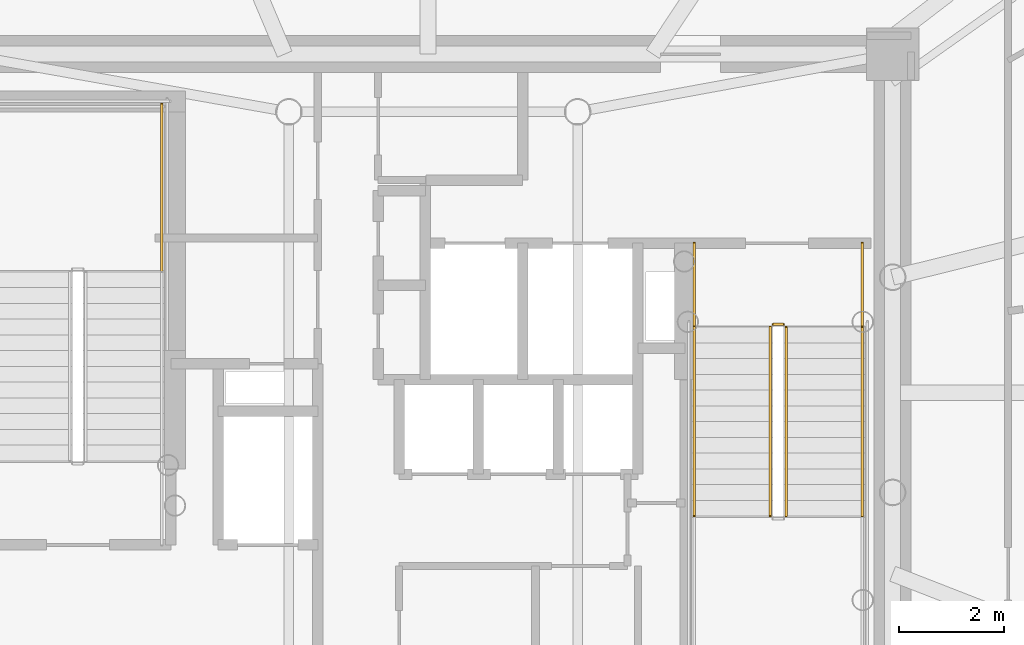
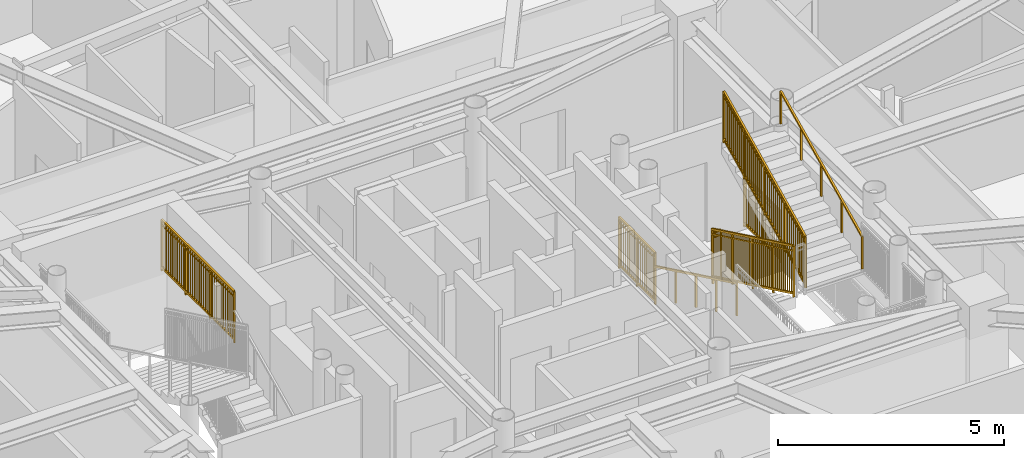
# One storey, part 17 of 18: 8 railings.
"""IFC4 building model written with IfcOpenShell, lengths in metres."""

from ifc_helpers import new_model, si_unit, direction, frame, origin, origin_2d, place, context, subcontext, project, spatial, rectangle, extrude, source, transform, mapped, material, type_object, element, save


model = new_model("IFC4")

# Units and contexts
model_context = context("Model", 3, precision=1e-05, world=origin(), true_north=direction((0.0, 1.0)))
body_context = subcontext(model_context, "Body", "Model", "MODEL_VIEW")
ifc_project = project(units=[si_unit("LENGTHUNIT", "METRE"), si_unit("AREAUNIT", "SQUARE_METRE"), si_unit("VOLUMEUNIT", "CUBIC_METRE"), si_unit("PLANEANGLEUNIT", "RADIAN"), si_unit("MASSUNIT", "GRAM", prefix="KILO")], contexts=[model_context])

# Site, building, storey
site_placement = place(None, origin())
site = spatial("IfcSite", under=ifc_project, at=site_placement, CompositionType="ELEMENT")
building_placement = place(site_placement, origin())
building = spatial("IfcBuilding", under=site, at=building_placement, Name="Linh Dai School and Residence Tower", CompositionType="ELEMENT")
storey_placement = place(building_placement, frame((0.0, 0.0, 273.0)))
storey = spatial("IfcBuildingStorey", under=building, at=storey_placement, Name="L67", CompositionType="ELEMENT", Elevation=273.0)

# Railings
ifc_material_1 = material(Name="Structural Steel S355JR", Category="steel")
railing_type_1 = type_object("IfcRailingType", Name="RL-ST-GUARD-1400", PredefinedType="GUARDRAIL", material=ifc_material_1)
shared_shape_1 = source(origin(), body_context, "Body", "SweptSolid", [
    extrude(rectangle(XDim=0.048095703125, YDim=0.048095703125, at=origin_2d()), frame((0.0, 0.0, 1.3759765625), z_axis=(0.0, 0.901262522062, 0.433273431364), x_axis=(-1.0, 0.0, 0.0)), (0.0, 0.0, 1.0), 3.994384765625),
    extrude(rectangle(XDim=0.048095703125, YDim=0.048095703125, at=origin_2d()), frame((0.0, 0.0, 0.10009765625), z_axis=(0.0, 0.901262522062, 0.433273431364), x_axis=(-1.0, 0.0, 0.0)), (0.0, 0.0, 1.0), 3.994384765625),
    extrude(rectangle(XDim=0.030029296875, YDim=0.030029296875, at=origin_2d()), frame((0.0, 0.0, 1.239990234375), z_axis=(0.0, 0.901262522062, 0.433273431364), x_axis=(-1.0, 0.0, 0.0)), (0.0, 0.0, 1.0), 3.994384765625),
    extrude(rectangle(XDim=0.02001953125, YDim=0.02001953125, at=origin_2d()), frame((0.0, 0.087890625, 0.142333984375)), (0.0, 0.0, 1.0), 1.251708984375),
    extrude(rectangle(XDim=0.02001953125, YDim=0.02001953125, at=origin_2d()), frame((0.0, 0.175537109375, 0.1845703125)), (0.0, 0.0, 1.0), 1.251708984375),
    extrude(rectangle(XDim=0.02001953125, YDim=0.02001953125, at=origin_2d()), frame((0.0, 0.263427734375, 0.226806640625)), (0.0, 0.0, 1.0), 1.251708984375),
    extrude(rectangle(XDim=0.02001953125, YDim=0.02001953125, at=origin_2d()), frame((0.0, 0.351318359375, 0.26904296875)), (0.0, 0.0, 1.0), 1.251708984375),
    extrude(rectangle(XDim=0.02001953125, YDim=0.02001953125, at=origin_2d()), frame((0.0, 0.43896484375, 0.311279296875)), (0.0, 0.0, 1.0), 1.251708984375),
    extrude(rectangle(XDim=0.02001953125, YDim=0.02001953125, at=origin_2d()), frame((0.0, 0.52685546875, 0.353271484375)), (0.0, 0.0, 1.0), 1.251708984375),
    extrude(rectangle(XDim=0.02001953125, YDim=0.02001953125, at=origin_2d()), frame((0.0, 0.61474609375, 0.3955078125)), (0.0, 0.0, 1.0), 1.251708984375),
    extrude(rectangle(XDim=0.02001953125, YDim=0.02001953125, at=origin_2d()), frame((0.0, 0.702392578125, 0.437744140625)), (0.0, 0.0, 1.0), 1.251708984375),
    extrude(rectangle(XDim=0.02001953125, YDim=0.02001953125, at=origin_2d()), frame((0.0, 0.790283203125, 0.47998046875)), (0.0, 0.0, 1.0), 1.251708984375),
    extrude(rectangle(XDim=0.02001953125, YDim=0.02001953125, at=origin_2d()), frame((0.0, 0.9658203125, 0.564453125)), (0.0, 0.0, 1.0), 1.251708984375),
    extrude(rectangle(XDim=0.02001953125, YDim=0.02001953125, at=origin_2d()), frame((0.0, 1.0537109375, 0.606689453125)), (0.0, 0.0, 1.0), 1.251708984375),
    extrude(rectangle(XDim=0.02001953125, YDim=0.02001953125, at=origin_2d()), frame((0.0, 1.1416015625, 0.64892578125)), (0.0, 0.0, 1.0), 1.251708984375),
    extrude(rectangle(XDim=0.02001953125, YDim=0.02001953125, at=origin_2d()), frame((0.0, 1.229248046875, 0.691162109375)), (0.0, 0.0, 1.0), 1.251708984375),
    extrude(rectangle(XDim=0.02001953125, YDim=0.02001953125, at=origin_2d()), frame((0.0, 1.317138671875, 0.7333984375)), (0.0, 0.0, 1.0), 1.251708984375),
    extrude(rectangle(XDim=0.02001953125, YDim=0.02001953125, at=origin_2d()), frame((0.0, 1.405029296875, 0.775390625)), (0.0, 0.0, 1.0), 1.251708984375),
    extrude(rectangle(XDim=0.02001953125, YDim=0.02001953125, at=origin_2d()), frame((0.0, 1.49267578125, 0.817626953125)), (0.0, 0.0, 1.0), 1.251708984375),
    extrude(rectangle(XDim=0.02001953125, YDim=0.02001953125, at=origin_2d()), frame((0.0, 1.58056640625, 0.85986328125)), (0.0, 0.0, 1.0), 1.251708984375),
    extrude(rectangle(XDim=0.02001953125, YDim=0.02001953125, at=origin_2d()), frame((0.0, 1.66845703125, 0.902099609375)), (0.0, 0.0, 1.0), 1.251708984375),
    extrude(rectangle(XDim=0.02001953125, YDim=0.02001953125, at=origin_2d()), frame((0.0, 1.756103515625, 0.9443359375)), (0.0, 0.0, 1.0), 1.251708984375),
    extrude(rectangle(XDim=0.02001953125, YDim=0.02001953125, at=origin_2d()), frame((0.0, 1.843994140625, 0.986572265625)), (0.0, 0.0, 1.0), 1.251708984375),
    extrude(rectangle(XDim=0.02001953125, YDim=0.02001953125, at=origin_2d()), frame((0.0, 1.931640625, 1.02880859375)), (0.0, 0.0, 1.0), 1.251708984375),
    extrude(rectangle(XDim=0.02001953125, YDim=0.02001953125, at=origin_2d()), frame((0.0, 2.01953125, 1.071044921875)), (0.0, 0.0, 1.0), 1.251708984375),
    extrude(rectangle(XDim=0.02001953125, YDim=0.02001953125, at=origin_2d()), frame((0.0, 2.107421875, 1.11328125)), (0.0, 0.0, 1.0), 1.251708984375),
    extrude(rectangle(XDim=0.02001953125, YDim=0.02001953125, at=origin_2d()), frame((0.0, 2.195068359375, 1.155517578125)), (0.0, 0.0, 1.0), 1.251708984375),
    extrude(rectangle(XDim=0.02001953125, YDim=0.02001953125, at=origin_2d()), frame((0.0, 2.282958984375, 1.197509765625)), (0.0, 0.0, 1.0), 1.251708984375),
    extrude(rectangle(XDim=0.02001953125, YDim=0.02001953125, at=origin_2d()), frame((0.0, 2.370849609375, 1.23974609375)), (0.0, 0.0, 1.0), 1.251708984375),
    extrude(rectangle(XDim=0.02001953125, YDim=0.02001953125, at=origin_2d()), frame((0.0, 2.45849609375, 1.281982421875)), (0.0, 0.0, 1.0), 1.251708984375),
    extrude(rectangle(XDim=0.02001953125, YDim=0.02001953125, at=origin_2d()), frame((0.0, 2.54638671875, 1.32421875)), (0.0, 0.0, 1.0), 1.251708984375),
    extrude(rectangle(XDim=0.02001953125, YDim=0.02001953125, at=origin_2d()), frame((0.0, 2.63427734375, 1.366455078125)), (0.0, 0.0, 1.0), 1.251708984375),
    extrude(rectangle(XDim=0.02001953125, YDim=0.02001953125, at=origin_2d()), frame((0.0, 2.809814453125, 1.450927734375)), (0.0, 0.0, 1.0), 1.251708984375),
    extrude(rectangle(XDim=0.02001953125, YDim=0.02001953125, at=origin_2d()), frame((0.0, 2.897705078125, 1.4931640625)), (0.0, 0.0, 1.0), 1.251708984375),
    extrude(rectangle(XDim=0.02001953125, YDim=0.02001953125, at=origin_2d()), frame((0.0, 2.9853515625, 1.535400390625)), (0.0, 0.0, 1.0), 1.251708984375),
    extrude(rectangle(XDim=0.02001953125, YDim=0.02001953125, at=origin_2d()), frame((0.0, 3.0732421875, 1.57763671875)), (0.0, 0.0, 1.0), 1.251708984375),
    extrude(rectangle(XDim=0.02001953125, YDim=0.02001953125, at=origin_2d()), frame((0.0, 3.1611328125, 1.61962890625)), (0.0, 0.0, 1.0), 1.251708984375),
    extrude(rectangle(XDim=0.02001953125, YDim=0.02001953125, at=origin_2d()), frame((0.0, 3.248779296875, 1.661865234375)), (0.0, 0.0, 1.0), 1.251708984375),
    extrude(rectangle(XDim=0.02001953125, YDim=0.02001953125, at=origin_2d()), frame((0.0, 3.336669921875, 1.7041015625)), (0.0, 0.0, 1.0), 1.251708984375),
    extrude(rectangle(XDim=0.02001953125, YDim=0.02001953125, at=origin_2d()), frame((0.0, 3.424560546875, 1.746337890625)), (0.0, 0.0, 1.0), 1.251708984375),
    extrude(rectangle(XDim=0.02001953125, YDim=0.02001953125, at=origin_2d()), frame((0.0, 3.51220703125, 1.78857421875)), (0.0, 0.0, 1.0), 1.251708984375),
    extrude(rectangle(XDim=0.0419921875, YDim=0.0419921875, at=origin_2d()), origin(), (0.0, 0.0, 1.0), 1.3759765625),
    extrude(rectangle(XDim=0.0419921875, YDim=0.0419921875, at=origin_2d()), frame((0.0, 0.89990234375, 0.4326171875)), (0.0, 0.0, 1.0), 1.3759765625),
    extrude(rectangle(XDim=0.0419921875, YDim=0.0419921875, at=origin_2d()), frame((0.0, 1.800048828125, 0.865234375)), (0.0, 0.0, 1.0), 1.3759765625),
    extrude(rectangle(XDim=0.0419921875, YDim=0.0419921875, at=origin_2d()), frame((0.0, 2.7001953125, 1.298095703125)), (0.0, 0.0, 1.0), 1.3759765625),
    extrude(rectangle(XDim=0.0419921875, YDim=0.0419921875, at=origin_2d()), frame((0.0, 3.60009765625, 1.730712890625)), (0.0, 0.0, 1.0), 1.3759765625),
])
railing_1_placement = place(storey_placement, frame((42.820068359375, 24.64990234375, 2.019287109375)))
element("IfcRailing", 1, at=railing_1_placement, inside=storey, type_object=railing_type_1, Name="L67 ST2 stair guard 6", PredefinedType="GUARDRAIL", context=body_context, shape_type="MappedRepresentation", body=[
    mapped(shared_shape_1, transform((0.0, 0.0, 0.0), x_axis=(1.0, 0.0, 0.0), y_axis=(0.0, 1.0, 0.0), z_axis=(0.0, 0.0, 1.0), scale=1.0)),
])
shared_shape_2 = source(origin(), body_context, "Body", "SweptSolid", [
    extrude(rectangle(XDim=0.048095703125, YDim=0.048095703125, at=origin_2d()), frame((0.0, 0.0, 1.3759765625), z_axis=(0.0, 1.0, 0.0), x_axis=(-1.0, 0.0, 0.0)), (0.0, 0.0, 1.0), 3.199951171875),
    extrude(rectangle(XDim=0.048095703125, YDim=0.048095703125, at=origin_2d()), frame((0.0, 0.0, 0.10009765625), z_axis=(0.0, 1.0, 0.0), x_axis=(-1.0, 0.0, 0.0)), (0.0, 0.0, 1.0), 3.199951171875),
    extrude(rectangle(XDim=0.030029296875, YDim=0.030029296875, at=origin_2d()), frame((0.0, 0.0, 1.239990234375), z_axis=(0.0, 1.0, 0.0), x_axis=(-1.0, 0.0, 0.0)), (0.0, 0.0, 1.0), 3.199951171875),
    extrude(rectangle(XDim=0.02001953125, YDim=0.02001953125, at=origin_2d()), frame((0.0, 0.096923828125, 0.10009765625)), (0.0, 0.0, 1.0), 1.251708984375),
    extrude(rectangle(XDim=0.02001953125, YDim=0.02001953125, at=origin_2d()), frame((0.0, 0.19384765625, 0.10009765625)), (0.0, 0.0, 1.0), 1.251708984375),
    extrude(rectangle(XDim=0.02001953125, YDim=0.02001953125, at=origin_2d()), frame((0.0, 0.291015625, 0.10009765625)), (0.0, 0.0, 1.0), 1.251708984375),
    extrude(rectangle(XDim=0.02001953125, YDim=0.02001953125, at=origin_2d()), frame((0.0, 0.387939453125, 0.10009765625)), (0.0, 0.0, 1.0), 1.251708984375),
    extrude(rectangle(XDim=0.02001953125, YDim=0.02001953125, at=origin_2d()), frame((0.0, 0.48486328125, 0.10009765625)), (0.0, 0.0, 1.0), 1.251708984375),
    extrude(rectangle(XDim=0.02001953125, YDim=0.02001953125, at=origin_2d()), frame((0.0, 0.581787109375, 0.10009765625)), (0.0, 0.0, 1.0), 1.251708984375),
    extrude(rectangle(XDim=0.02001953125, YDim=0.02001953125, at=origin_2d()), frame((0.0, 0.6787109375, 0.10009765625)), (0.0, 0.0, 1.0), 1.251708984375),
    extrude(rectangle(XDim=0.02001953125, YDim=0.02001953125, at=origin_2d()), frame((0.0, 0.775634765625, 0.10009765625)), (0.0, 0.0, 1.0), 1.251708984375),
    extrude(rectangle(XDim=0.02001953125, YDim=0.02001953125, at=origin_2d()), frame((0.0, 0.872802734375, 0.10009765625)), (0.0, 0.0, 1.0), 1.251708984375),
    extrude(rectangle(XDim=0.02001953125, YDim=0.02001953125, at=origin_2d()), frame((0.0, 0.9697265625, 0.10009765625)), (0.0, 0.0, 1.0), 1.251708984375),
    extrude(rectangle(XDim=0.02001953125, YDim=0.02001953125, at=origin_2d()), frame((0.0, 1.16357421875, 0.10009765625)), (0.0, 0.0, 1.0), 1.251708984375),
    extrude(rectangle(XDim=0.02001953125, YDim=0.02001953125, at=origin_2d()), frame((0.0, 1.260498046875, 0.10009765625)), (0.0, 0.0, 1.0), 1.251708984375),
    extrude(rectangle(XDim=0.02001953125, YDim=0.02001953125, at=origin_2d()), frame((0.0, 1.357666015625, 0.10009765625)), (0.0, 0.0, 1.0), 1.251708984375),
    extrude(rectangle(XDim=0.02001953125, YDim=0.02001953125, at=origin_2d()), frame((0.0, 1.45458984375, 0.10009765625)), (0.0, 0.0, 1.0), 1.251708984375),
    extrude(rectangle(XDim=0.02001953125, YDim=0.02001953125, at=origin_2d()), frame((0.0, 1.551513671875, 0.10009765625)), (0.0, 0.0, 1.0), 1.251708984375),
    extrude(rectangle(XDim=0.02001953125, YDim=0.02001953125, at=origin_2d()), frame((0.0, 1.6484375, 0.10009765625)), (0.0, 0.0, 1.0), 1.251708984375),
    extrude(rectangle(XDim=0.02001953125, YDim=0.02001953125, at=origin_2d()), frame((0.0, 1.745361328125, 0.10009765625)), (0.0, 0.0, 1.0), 1.251708984375),
    extrude(rectangle(XDim=0.02001953125, YDim=0.02001953125, at=origin_2d()), frame((0.0, 1.84228515625, 0.10009765625)), (0.0, 0.0, 1.0), 1.251708984375),
    extrude(rectangle(XDim=0.02001953125, YDim=0.02001953125, at=origin_2d()), frame((0.0, 1.939453125, 0.10009765625)), (0.0, 0.0, 1.0), 1.251708984375),
    extrude(rectangle(XDim=0.02001953125, YDim=0.02001953125, at=origin_2d()), frame((0.0, 2.036376953125, 0.10009765625)), (0.0, 0.0, 1.0), 1.251708984375),
    extrude(rectangle(XDim=0.02001953125, YDim=0.02001953125, at=origin_2d()), frame((0.0, 2.230224609375, 0.10009765625)), (0.0, 0.0, 1.0), 1.251708984375),
    extrude(rectangle(XDim=0.02001953125, YDim=0.02001953125, at=origin_2d()), frame((0.0, 2.3271484375, 0.10009765625)), (0.0, 0.0, 1.0), 1.251708984375),
    extrude(rectangle(XDim=0.02001953125, YDim=0.02001953125, at=origin_2d()), frame((0.0, 2.42431640625, 0.10009765625)), (0.0, 0.0, 1.0), 1.251708984375),
    extrude(rectangle(XDim=0.02001953125, YDim=0.02001953125, at=origin_2d()), frame((0.0, 2.521240234375, 0.10009765625)), (0.0, 0.0, 1.0), 1.251708984375),
    extrude(rectangle(XDim=0.02001953125, YDim=0.02001953125, at=origin_2d()), frame((0.0, 2.6181640625, 0.10009765625)), (0.0, 0.0, 1.0), 1.251708984375),
    extrude(rectangle(XDim=0.02001953125, YDim=0.02001953125, at=origin_2d()), frame((0.0, 2.715087890625, 0.10009765625)), (0.0, 0.0, 1.0), 1.251708984375),
    extrude(rectangle(XDim=0.02001953125, YDim=0.02001953125, at=origin_2d()), frame((0.0, 2.81201171875, 0.10009765625)), (0.0, 0.0, 1.0), 1.251708984375),
    extrude(rectangle(XDim=0.02001953125, YDim=0.02001953125, at=origin_2d()), frame((0.0, 2.908935546875, 0.10009765625)), (0.0, 0.0, 1.0), 1.251708984375),
    extrude(rectangle(XDim=0.02001953125, YDim=0.02001953125, at=origin_2d()), frame((0.0, 3.006103515625, 0.10009765625)), (0.0, 0.0, 1.0), 1.251708984375),
    extrude(rectangle(XDim=0.02001953125, YDim=0.02001953125, at=origin_2d()), frame((0.0, 3.10302734375, 0.10009765625)), (0.0, 0.0, 1.0), 1.251708984375),
    extrude(rectangle(XDim=0.0419921875, YDim=0.0419921875, at=origin_2d()), origin(), (0.0, 0.0, 1.0), 1.3759765625),
    extrude(rectangle(XDim=0.0419921875, YDim=0.0419921875, at=origin_2d()), frame((0.0, 1.066650390625, 0.0)), (0.0, 0.0, 1.0), 1.3759765625),
    extrude(rectangle(XDim=0.0419921875, YDim=0.0419921875, at=origin_2d()), frame((0.0, 2.13330078125, 0.0)), (0.0, 0.0, 1.0), 1.3759765625),
    extrude(rectangle(XDim=0.0419921875, YDim=0.0419921875, at=origin_2d()), frame((0.0, 3.199951171875, 0.0)), (0.0, 0.0, 1.0), 1.3759765625),
])
railing_2_placement = place(storey_placement, frame((30.929931640625, 29.300048828125, 1.875)))
element("IfcRailing", 2, at=railing_2_placement, inside=storey, type_object=railing_type_1, Name="L67 ST1 stair guard 3", PredefinedType="GUARDRAIL", context=body_context, shape_type="MappedRepresentation", body=[
    mapped(shared_shape_2, transform((0.0, 0.0, 0.0), x_axis=(1.0, 0.0, 0.0), y_axis=(0.0, 1.0, 0.0), z_axis=(0.0, 0.0, 1.0), scale=1.0)),
])
shared_shape_3 = source(origin(), body_context, "Body", "SweptSolid", [
    extrude(rectangle(XDim=0.048095703125, YDim=0.048095703125, at=origin_2d()), frame((0.0, 0.0, 1.3759765625), z_axis=(0.0, -0.901262522062, 0.433273431364), x_axis=(1.0, 0.0, 0.0)), (0.0, 0.0, 1.0), 3.994384765625),
    extrude(rectangle(XDim=0.048095703125, YDim=0.048095703125, at=origin_2d()), frame((0.0, 0.0, 0.10009765625), z_axis=(0.0, -0.901262522062, 0.433273431364), x_axis=(1.0, 0.0, 0.0)), (0.0, 0.0, 1.0), 3.994384765625),
    extrude(rectangle(XDim=0.030029296875, YDim=0.030029296875, at=origin_2d()), frame((0.0, 0.0, 1.239990234375), z_axis=(0.0, -0.901262522062, 0.433273431364), x_axis=(1.0, 0.0, 0.0)), (0.0, 0.0, 1.0), 3.994384765625),
    extrude(rectangle(XDim=0.02001953125, YDim=0.02001953125, at=origin_2d()), frame((0.0, -0.087890625, 0.142333984375)), (0.0, 0.0, 1.0), 1.251708984375),
    extrude(rectangle(XDim=0.02001953125, YDim=0.02001953125, at=origin_2d()), frame((0.0, -0.175537109375, 0.1845703125)), (0.0, 0.0, 1.0), 1.251708984375),
    extrude(rectangle(XDim=0.02001953125, YDim=0.02001953125, at=origin_2d()), frame((0.0, -0.263427734375, 0.226806640625)), (0.0, 0.0, 1.0), 1.251708984375),
    extrude(rectangle(XDim=0.02001953125, YDim=0.02001953125, at=origin_2d()), frame((0.0, -0.351318359375, 0.26904296875)), (0.0, 0.0, 1.0), 1.251708984375),
    extrude(rectangle(XDim=0.02001953125, YDim=0.02001953125, at=origin_2d()), frame((0.0, -0.43896484375, 0.311279296875)), (0.0, 0.0, 1.0), 1.251708984375),
    extrude(rectangle(XDim=0.02001953125, YDim=0.02001953125, at=origin_2d()), frame((0.0, -0.52685546875, 0.353271484375)), (0.0, 0.0, 1.0), 1.251708984375),
    extrude(rectangle(XDim=0.02001953125, YDim=0.02001953125, at=origin_2d()), frame((0.0, -0.61474609375, 0.3955078125)), (0.0, 0.0, 1.0), 1.251708984375),
    extrude(rectangle(XDim=0.02001953125, YDim=0.02001953125, at=origin_2d()), frame((0.0, -0.702392578125, 0.437744140625)), (0.0, 0.0, 1.0), 1.251708984375),
    extrude(rectangle(XDim=0.02001953125, YDim=0.02001953125, at=origin_2d()), frame((0.0, -0.790283203125, 0.47998046875)), (0.0, 0.0, 1.0), 1.251708984375),
    extrude(rectangle(XDim=0.02001953125, YDim=0.02001953125, at=origin_2d()), frame((0.0, -0.9658203125, 0.564453125)), (0.0, 0.0, 1.0), 1.251708984375),
    extrude(rectangle(XDim=0.02001953125, YDim=0.02001953125, at=origin_2d()), frame((0.0, -1.0537109375, 0.606689453125)), (0.0, 0.0, 1.0), 1.251708984375),
    extrude(rectangle(XDim=0.02001953125, YDim=0.02001953125, at=origin_2d()), frame((0.0, -1.1416015625, 0.64892578125)), (0.0, 0.0, 1.0), 1.251708984375),
    extrude(rectangle(XDim=0.02001953125, YDim=0.02001953125, at=origin_2d()), frame((0.0, -1.229248046875, 0.691162109375)), (0.0, 0.0, 1.0), 1.251708984375),
    extrude(rectangle(XDim=0.02001953125, YDim=0.02001953125, at=origin_2d()), frame((0.0, -1.317138671875, 0.7333984375)), (0.0, 0.0, 1.0), 1.251708984375),
    extrude(rectangle(XDim=0.02001953125, YDim=0.02001953125, at=origin_2d()), frame((0.0, -1.405029296875, 0.775390625)), (0.0, 0.0, 1.0), 1.251708984375),
    extrude(rectangle(XDim=0.02001953125, YDim=0.02001953125, at=origin_2d()), frame((0.0, -1.49267578125, 0.817626953125)), (0.0, 0.0, 1.0), 1.251708984375),
    extrude(rectangle(XDim=0.02001953125, YDim=0.02001953125, at=origin_2d()), frame((0.0, -1.58056640625, 0.85986328125)), (0.0, 0.0, 1.0), 1.251708984375),
    extrude(rectangle(XDim=0.02001953125, YDim=0.02001953125, at=origin_2d()), frame((0.0, -1.66845703125, 0.902099609375)), (0.0, 0.0, 1.0), 1.251708984375),
    extrude(rectangle(XDim=0.02001953125, YDim=0.02001953125, at=origin_2d()), frame((0.0, -1.756103515625, 0.9443359375)), (0.0, 0.0, 1.0), 1.251708984375),
    extrude(rectangle(XDim=0.02001953125, YDim=0.02001953125, at=origin_2d()), frame((0.0, -1.843994140625, 0.986572265625)), (0.0, 0.0, 1.0), 1.251708984375),
    extrude(rectangle(XDim=0.02001953125, YDim=0.02001953125, at=origin_2d()), frame((0.0, -1.931640625, 1.02880859375)), (0.0, 0.0, 1.0), 1.251708984375),
    extrude(rectangle(XDim=0.02001953125, YDim=0.02001953125, at=origin_2d()), frame((0.0, -2.01953125, 1.071044921875)), (0.0, 0.0, 1.0), 1.251708984375),
    extrude(rectangle(XDim=0.02001953125, YDim=0.02001953125, at=origin_2d()), frame((0.0, -2.107421875, 1.11328125)), (0.0, 0.0, 1.0), 1.251708984375),
    extrude(rectangle(XDim=0.02001953125, YDim=0.02001953125, at=origin_2d()), frame((0.0, -2.195068359375, 1.155517578125)), (0.0, 0.0, 1.0), 1.251708984375),
    extrude(rectangle(XDim=0.02001953125, YDim=0.02001953125, at=origin_2d()), frame((0.0, -2.282958984375, 1.197509765625)), (0.0, 0.0, 1.0), 1.251708984375),
    extrude(rectangle(XDim=0.02001953125, YDim=0.02001953125, at=origin_2d()), frame((0.0, -2.370849609375, 1.23974609375)), (0.0, 0.0, 1.0), 1.251708984375),
    extrude(rectangle(XDim=0.02001953125, YDim=0.02001953125, at=origin_2d()), frame((0.0, -2.45849609375, 1.281982421875)), (0.0, 0.0, 1.0), 1.251708984375),
    extrude(rectangle(XDim=0.02001953125, YDim=0.02001953125, at=origin_2d()), frame((0.0, -2.54638671875, 1.32421875)), (0.0, 0.0, 1.0), 1.251708984375),
    extrude(rectangle(XDim=0.02001953125, YDim=0.02001953125, at=origin_2d()), frame((0.0, -2.63427734375, 1.366455078125)), (0.0, 0.0, 1.0), 1.251708984375),
    extrude(rectangle(XDim=0.02001953125, YDim=0.02001953125, at=origin_2d()), frame((0.0, -2.809814453125, 1.450927734375)), (0.0, 0.0, 1.0), 1.251708984375),
    extrude(rectangle(XDim=0.02001953125, YDim=0.02001953125, at=origin_2d()), frame((0.0, -2.897705078125, 1.4931640625)), (0.0, 0.0, 1.0), 1.251708984375),
    extrude(rectangle(XDim=0.02001953125, YDim=0.02001953125, at=origin_2d()), frame((0.0, -2.9853515625, 1.535400390625)), (0.0, 0.0, 1.0), 1.251708984375),
    extrude(rectangle(XDim=0.02001953125, YDim=0.02001953125, at=origin_2d()), frame((0.0, -3.0732421875, 1.57763671875)), (0.0, 0.0, 1.0), 1.251708984375),
    extrude(rectangle(XDim=0.02001953125, YDim=0.02001953125, at=origin_2d()), frame((0.0, -3.1611328125, 1.61962890625)), (0.0, 0.0, 1.0), 1.251708984375),
    extrude(rectangle(XDim=0.02001953125, YDim=0.02001953125, at=origin_2d()), frame((0.0, -3.248779296875, 1.661865234375)), (0.0, 0.0, 1.0), 1.251708984375),
    extrude(rectangle(XDim=0.02001953125, YDim=0.02001953125, at=origin_2d()), frame((0.0, -3.336669921875, 1.7041015625)), (0.0, 0.0, 1.0), 1.251708984375),
    extrude(rectangle(XDim=0.02001953125, YDim=0.02001953125, at=origin_2d()), frame((0.0, -3.424560546875, 1.746337890625)), (0.0, 0.0, 1.0), 1.251708984375),
    extrude(rectangle(XDim=0.02001953125, YDim=0.02001953125, at=origin_2d()), frame((0.0, -3.51220703125, 1.78857421875)), (0.0, 0.0, 1.0), 1.251708984375),
    extrude(rectangle(XDim=0.0419921875, YDim=0.0419921875, at=origin_2d()), origin(), (0.0, 0.0, 1.0), 1.3759765625),
    extrude(rectangle(XDim=0.0419921875, YDim=0.0419921875, at=origin_2d()), frame((0.0, -0.89990234375, 0.4326171875)), (0.0, 0.0, 1.0), 1.3759765625),
    extrude(rectangle(XDim=0.0419921875, YDim=0.0419921875, at=origin_2d()), frame((0.0, -1.800048828125, 0.865234375)), (0.0, 0.0, 1.0), 1.3759765625),
    extrude(rectangle(XDim=0.0419921875, YDim=0.0419921875, at=origin_2d()), frame((0.0, -2.7001953125, 1.298095703125)), (0.0, 0.0, 1.0), 1.3759765625),
    extrude(rectangle(XDim=0.0419921875, YDim=0.0419921875, at=origin_2d()), frame((0.0, -3.60009765625, 1.730712890625)), (0.0, 0.0, 1.0), 1.3759765625),
])
railing_3_placement = place(storey_placement, frame((42.52001953125, 28.25, 0.144287109375)))
element("IfcRailing", 3, at=railing_3_placement, inside=storey, type_object=railing_type_1, Name="L67 ST2 stair guard 1", PredefinedType="GUARDRAIL", context=body_context, shape_type="MappedRepresentation", body=[
    mapped(shared_shape_3, transform((0.0, 0.0, 0.0), x_axis=(1.0, 0.0, 0.0), y_axis=(0.0, 1.0, 0.0), z_axis=(0.0, 0.0, 1.0), scale=1.0)),
])
ifc_material_2 = material(Name="Brushed Stainless Steel Handrail", Category="steel")
railing_type_2 = type_object("IfcRailingType", Name="RL-ST-HANDRAIL-900", PredefinedType="HANDRAIL", material=ifc_material_2)
shared_shape_4 = source(origin(), body_context, "Body", "SweptSolid", [
    extrude(rectangle(XDim=0.048095703125, YDim=0.048095703125, at=origin_2d()), frame((0.0, 0.0, 0.8759765625), z_axis=(0.0, 0.901262522062, 0.433273431364), x_axis=(-1.0, 0.0, 0.0)), (0.0, 0.0, 1.0), 3.994384765625),
    extrude(rectangle(XDim=0.0419921875, YDim=0.0419921875, at=origin_2d()), origin(), (0.0, 0.0, 1.0), 0.8759765625),
    extrude(rectangle(XDim=0.0419921875, YDim=0.0419921875, at=origin_2d()), frame((0.0, 0.89990234375, 0.4326171875)), (0.0, 0.0, 1.0), 0.8759765625),
    extrude(rectangle(XDim=0.0419921875, YDim=0.0419921875, at=origin_2d()), frame((0.0, 1.800048828125, 0.865234375)), (0.0, 0.0, 1.0), 0.8759765625),
    extrude(rectangle(XDim=0.0419921875, YDim=0.0419921875, at=origin_2d()), frame((0.0, 2.7001953125, 1.298095703125)), (0.0, 0.0, 1.0), 0.8759765625),
    extrude(rectangle(XDim=0.0419921875, YDim=0.0419921875, at=origin_2d()), frame((0.0, 3.60009765625, 1.730712890625)), (0.0, 0.0, 1.0), 0.8759765625),
])
railing_4_placement = place(storey_placement, frame((44.27001953125, 24.64990234375, 2.019287109375)))
element("IfcRailing", 4, at=railing_4_placement, inside=storey, type_object=railing_type_2, Name="L67 ST2 stair handrail 2", PredefinedType="HANDRAIL", context=body_context, shape_type="MappedRepresentation", body=[
    mapped(shared_shape_4, transform((0.0, 0.0, 0.0), x_axis=(1.0, 0.0, 0.0), y_axis=(0.0, 1.0, 0.0), z_axis=(0.0, 0.0, 1.0), scale=1.0)),
])
shared_shape_5 = source(origin(), body_context, "Body", "SweptSolid", [
    extrude(rectangle(XDim=0.048095703125, YDim=0.048095703125, at=origin_2d()), frame((0.0, 0.0, 0.8759765625), z_axis=(0.0, -0.901262522062, 0.433273431364), x_axis=(1.0, 0.0, 0.0)), (0.0, 0.0, 1.0), 3.994384765625),
    extrude(rectangle(XDim=0.0419921875, YDim=0.0419921875, at=origin_2d()), origin(), (0.0, 0.0, 1.0), 0.8759765625),
    extrude(rectangle(XDim=0.0419921875, YDim=0.0419921875, at=origin_2d()), frame((0.0, -0.89990234375, 0.4326171875)), (0.0, 0.0, 1.0), 0.8759765625),
    extrude(rectangle(XDim=0.0419921875, YDim=0.0419921875, at=origin_2d()), frame((0.0, -1.800048828125, 0.865234375)), (0.0, 0.0, 1.0), 0.8759765625),
    extrude(rectangle(XDim=0.0419921875, YDim=0.0419921875, at=origin_2d()), frame((0.0, -2.7001953125, 1.298095703125)), (0.0, 0.0, 1.0), 0.8759765625),
    extrude(rectangle(XDim=0.0419921875, YDim=0.0419921875, at=origin_2d()), frame((0.0, -3.60009765625, 1.730712890625)), (0.0, 0.0, 1.0), 0.8759765625),
])
railing_5_placement = place(storey_placement, frame((41.070068359375, 28.25, 0.144287109375)))
element("IfcRailing", 5, at=railing_5_placement, inside=storey, type_object=railing_type_2, Name="L67 ST2 stair handrail 1", PredefinedType="HANDRAIL", context=body_context, shape_type="MappedRepresentation", body=[
    mapped(shared_shape_5, transform((0.0, 0.0, 0.0), x_axis=(1.0, 0.0, 0.0), y_axis=(0.0, 1.0, 0.0), z_axis=(0.0, 0.0, 1.0), scale=1.0)),
])
shared_shape_6 = source(origin(), body_context, "Body", "SweptSolid", [
    extrude(rectangle(XDim=0.048095703125, YDim=0.048095703125, at=origin_2d()), frame((0.0, 0.0, 1.3759765625), z_axis=(1.0, 0.0, 0.0), x_axis=(0.0, 1.0, 0.0)), (0.0, 0.0, 1.0), 0.199951171875),
    extrude(rectangle(XDim=0.048095703125, YDim=0.048095703125, at=origin_2d()), frame((0.0, 0.0, 0.10009765625), z_axis=(1.0, 0.0, 0.0), x_axis=(0.0, 1.0, 0.0)), (0.0, 0.0, 1.0), 0.199951171875),
    extrude(rectangle(XDim=0.030029296875, YDim=0.030029296875, at=origin_2d()), frame((0.0, 0.0, 1.239990234375), z_axis=(1.0, 0.0, 0.0), x_axis=(0.0, 1.0, 0.0)), (0.0, 0.0, 1.0), 0.199951171875),
    extrude(rectangle(XDim=0.0419921875, YDim=0.0419921875, at=origin_2d()), origin(), (0.0, 0.0, 1.0), 1.3759765625),
    extrude(rectangle(XDim=0.0419921875, YDim=0.0419921875, at=origin_2d()), frame((0.199951171875, 0.0, 0.0)), (0.0, 0.0, 1.0), 1.3759765625),
])
railing_6_placement = place(storey_placement, frame((42.570068359375, 28.300048828125, 0.0)))
element("IfcRailing", 6, at=railing_6_placement, inside=storey, type_object=railing_type_1, Name="L67 ST2 stair guard 7", PredefinedType="GUARDRAIL", context=body_context, shape_type="MappedRepresentation", body=[
    mapped(shared_shape_6, transform((0.0, 0.0, 0.0), x_axis=(1.0, 0.0, 0.0), y_axis=(0.0, 1.0, 0.0), z_axis=(0.0, 0.0, 1.0), scale=1.0)),
])
shared_shape_7 = source(origin(), body_context, "Body", "SweptSolid", [
    extrude(rectangle(XDim=0.048095703125, YDim=0.048095703125, at=origin_2d()), frame((0.0, 0.0, 1.3759765625), z_axis=(0.0, -1.0, 0.0), x_axis=(1.0, 0.0, 0.0)), (0.0, 0.0, 1.0), 1.60009765625),
    extrude(rectangle(XDim=0.048095703125, YDim=0.048095703125, at=origin_2d()), frame((0.0, 0.0, 0.10009765625), z_axis=(0.0, -1.0, 0.0), x_axis=(1.0, 0.0, 0.0)), (0.0, 0.0, 1.0), 1.60009765625),
    extrude(rectangle(XDim=0.030029296875, YDim=0.030029296875, at=origin_2d()), frame((0.0, 0.0, 1.239990234375), z_axis=(0.0, -1.0, 0.0), x_axis=(1.0, 0.0, 0.0)), (0.0, 0.0, 1.0), 1.60009765625),
    extrude(rectangle(XDim=0.02001953125, YDim=0.02001953125, at=origin_2d()), frame((0.0, -0.09423828125, 0.10009765625)), (0.0, 0.0, 1.0), 1.251708984375),
    extrude(rectangle(XDim=0.02001953125, YDim=0.02001953125, at=origin_2d()), frame((0.0, -0.188232421875, 0.10009765625)), (0.0, 0.0, 1.0), 1.251708984375),
    extrude(rectangle(XDim=0.02001953125, YDim=0.02001953125, at=origin_2d()), frame((0.0, -0.282470703125, 0.10009765625)), (0.0, 0.0, 1.0), 1.251708984375),
    extrude(rectangle(XDim=0.02001953125, YDim=0.02001953125, at=origin_2d()), frame((0.0, -0.37646484375, 0.10009765625)), (0.0, 0.0, 1.0), 1.251708984375),
    extrude(rectangle(XDim=0.02001953125, YDim=0.02001953125, at=origin_2d()), frame((0.0, -0.470703125, 0.10009765625)), (0.0, 0.0, 1.0), 1.251708984375),
    extrude(rectangle(XDim=0.02001953125, YDim=0.02001953125, at=origin_2d()), frame((0.0, -0.564697265625, 0.10009765625)), (0.0, 0.0, 1.0), 1.251708984375),
    extrude(rectangle(XDim=0.02001953125, YDim=0.02001953125, at=origin_2d()), frame((0.0, -0.658935546875, 0.10009765625)), (0.0, 0.0, 1.0), 1.251708984375),
    extrude(rectangle(XDim=0.02001953125, YDim=0.02001953125, at=origin_2d()), frame((0.0, -0.7529296875, 0.10009765625)), (0.0, 0.0, 1.0), 1.251708984375),
    extrude(rectangle(XDim=0.02001953125, YDim=0.02001953125, at=origin_2d()), frame((0.0, -0.84716796875, 0.10009765625)), (0.0, 0.0, 1.0), 1.251708984375),
    extrude(rectangle(XDim=0.02001953125, YDim=0.02001953125, at=origin_2d()), frame((0.0, -0.941162109375, 0.10009765625)), (0.0, 0.0, 1.0), 1.251708984375),
    extrude(rectangle(XDim=0.02001953125, YDim=0.02001953125, at=origin_2d()), frame((0.0, -1.035400390625, 0.10009765625)), (0.0, 0.0, 1.0), 1.251708984375),
    extrude(rectangle(XDim=0.02001953125, YDim=0.02001953125, at=origin_2d()), frame((0.0, -1.12939453125, 0.10009765625)), (0.0, 0.0, 1.0), 1.251708984375),
    extrude(rectangle(XDim=0.02001953125, YDim=0.02001953125, at=origin_2d()), frame((0.0, -1.2236328125, 0.10009765625)), (0.0, 0.0, 1.0), 1.251708984375),
    extrude(rectangle(XDim=0.02001953125, YDim=0.02001953125, at=origin_2d()), frame((0.0, -1.317626953125, 0.10009765625)), (0.0, 0.0, 1.0), 1.251708984375),
    extrude(rectangle(XDim=0.02001953125, YDim=0.02001953125, at=origin_2d()), frame((0.0, -1.411865234375, 0.10009765625)), (0.0, 0.0, 1.0), 1.251708984375),
    extrude(rectangle(XDim=0.02001953125, YDim=0.02001953125, at=origin_2d()), frame((0.0, -1.505859375, 0.10009765625)), (0.0, 0.0, 1.0), 1.251708984375),
    extrude(rectangle(XDim=0.0419921875, YDim=0.0419921875, at=origin_2d()), origin(), (0.0, 0.0, 1.0), 1.3759765625),
    extrude(rectangle(XDim=0.0419921875, YDim=0.0419921875, at=origin_2d()), frame((0.0, -0.800048828125, 0.0)), (0.0, 0.0, 1.0), 1.3759765625),
    extrude(rectangle(XDim=0.0419921875, YDim=0.0419921875, at=origin_2d()), frame((0.0, -1.60009765625, 0.0)), (0.0, 0.0, 1.0), 1.3759765625),
])
for number, where, name in (
    (7, (41.070068359375, 29.85009765625, 0.0), "L67 ST2 stair guard 8"),
    (8, (44.27001953125, 29.85009765625, 0.0), "L67 ST2 stair guard 9"),
):
    element("IfcRailing", number, at=place(storey_placement, frame(where)), inside=storey, type_object=railing_type_1, Name=name, PredefinedType="GUARDRAIL", context=body_context, shape_type="MappedRepresentation", body=[
        mapped(shared_shape_7, transform((0.0, 0.0, 0.0), x_axis=(1.0, 0.0, 0.0), y_axis=(0.0, 1.0, 0.0), z_axis=(0.0, 0.0, 1.0), scale=1.0)),
    ])

save(model, "model.ifc")
